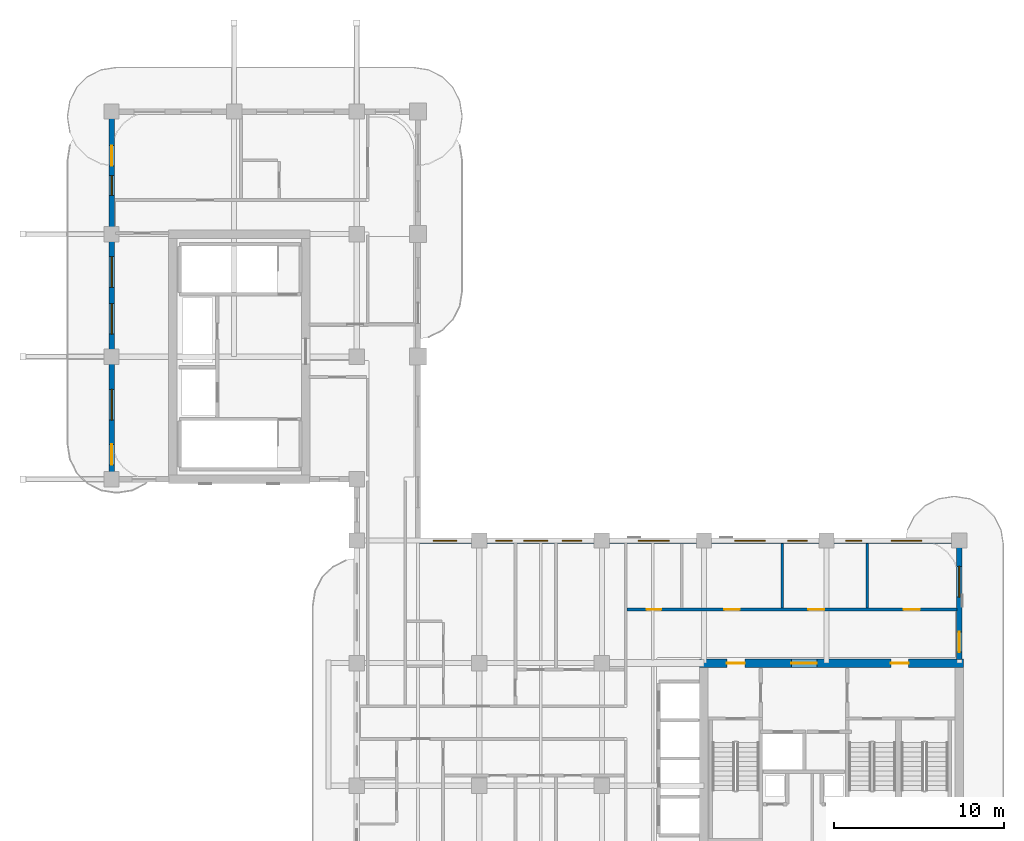
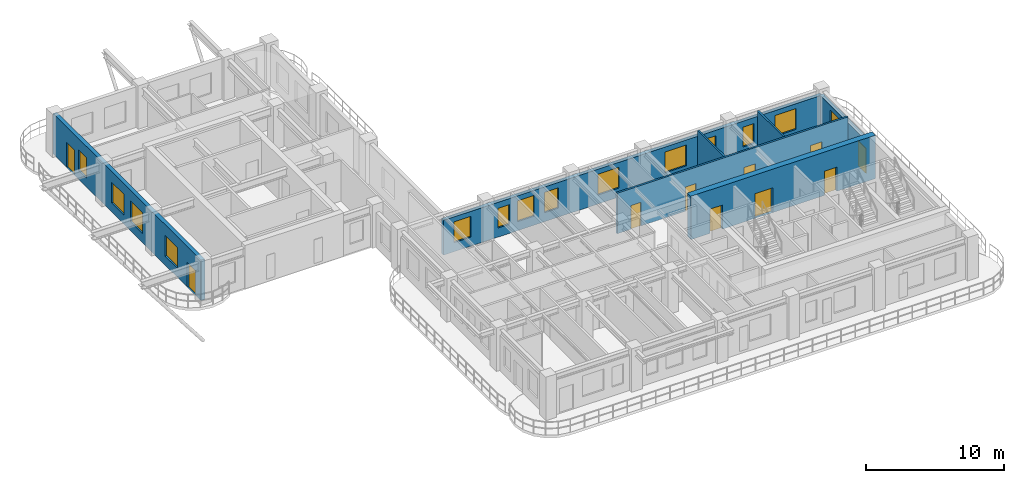
# One storey, part 9 of 14: 14 windows, 10 doors, 7 walls, 24 openings.
"""IFC4 building model written with IfcOpenShell, lengths in metres."""

from ifc_helpers import new_model, si_unit, derived_unit, direction, frame, frame_2d, origin, place, context, subcontext, project, spatial, rectangle, extrude, source, transform, mapped, material, layer, layer_set, type_object, type_shapes, element, fill, save


model = new_model("IFC4")

# Units and contexts
model_context = context("Model", 3, precision=1e-05, world=origin(), true_north=direction((0.0, 1.0)))
body_context = subcontext(model_context, "Body", "Model", "MODEL_VIEW")
ifc_project = project(units=[si_unit("LENGTHUNIT", "METRE"), si_unit("AREAUNIT", "SQUARE_METRE"), si_unit("VOLUMEUNIT", "CUBIC_METRE"), si_unit("PLANEANGLEUNIT", "RADIAN"), si_unit("MASSUNIT", "GRAM", prefix="KILO"), si_unit("THERMODYNAMICTEMPERATUREUNIT", "KELVIN"), si_unit("POWERUNIT", "WATT"), derived_unit("THERMALTRANSMITTANCEUNIT", [(si_unit("POWERUNIT", "WATT"), 1), (si_unit("AREAUNIT", "SQUARE_METRE"), -1), (si_unit("THERMODYNAMICTEMPERATUREUNIT", "KELVIN"), -1)])], contexts=[model_context])

# Site, building, storey
site_placement = place(None, origin())
site = spatial("IfcSite", under=ifc_project, at=site_placement, CompositionType="ELEMENT")
building_placement = place(site_placement, origin())
building = spatial("IfcBuilding", under=site, at=building_placement, Name="Zahravan Archway Hotel and Residences", CompositionType="ELEMENT")
storey_placement = place(building_placement, frame((0.0, 0.0, 209.60009765625)))
storey = spatial("IfcBuildingStorey", under=building, at=storey_placement, Name="L52", CompositionType="ELEMENT", Elevation=209.60009765625)

# Wall, openings, doors
ifc_material_1 = material(Name="Concrete C60/75", Category="concrete")
ifc_layer_1 = layer(ifc_material_1, 0.5, Name="Concrete C60/75", Category="concrete")
ifc_layer_set_1 = layer_set([ifc_layer_1], Name="Concrete C60/75")
wall_type_1 = type_object("IfcWallType", Name="CW-CORE-500", PredefinedType="SHEAR", material=ifc_layer_set_1)
wall_1_placement = place(storey_placement, frame((34.550048828125, 14.39990234375, 0.0), z_axis=(0.0, 0.0, 1.0), x_axis=(1.0, 0.0, 0.0)))
wall_1 = element("IfcWall", 1, at=wall_1_placement, inside=storey, type_object=wall_type_1, Name="L52 Core A Shear N Wall 500 mm", PredefinedType="SHEAR", context=body_context, shape_type="SweptSolid", body=[
    extrude(rectangle(XDim=15.5, YDim=0.5, at=frame_2d((7.75, 0.0))), origin(), (0.0, 0.0, 1.0), 3.849853515625),
])
opening_1_placement = place(wall_1_placement, frame((5.3798828125, 0.0, 0.0)))
opening_1 = element("IfcOpeningElement", 2, at=opening_1_placement, cuts=wall_1, Name="Opening FD-L1", PredefinedType="OPENING", context=body_context, shape_type="SweptSolid", body=[
    extrude(rectangle(XDim=1.5, YDim=2.199951171875, at=frame_2d((0.75, 1.10009765625))), frame((0.0, 0.260009765625, 0.0), z_axis=(0.0, -1.0, 0.0), x_axis=(1.0, 0.0, 0.0)), (0.0, 0.0, 1.0), 0.52001953125),
])
opening_2_placement = place(wall_1_placement, frame((1.594970703125, 0.0, 0.0)))
opening_2 = element("IfcOpeningElement", 3, at=opening_2_placement, cuts=wall_1, Name="Opening FD-L2", PredefinedType="OPENING", context=body_context, shape_type="SweptSolid", body=[
    extrude(rectangle(XDim=1.050048828125, YDim=2.14990234375, at=frame_2d((0.52490234375, 1.074951171875))), frame((0.0, 0.260009765625, 0.0), z_axis=(0.0, -1.0, 0.0), x_axis=(1.0, 0.0, 0.0)), (0.0, 0.0, 1.0), 0.52001953125),
])
opening_3_placement = place(wall_1_placement, frame((11.22509765625, 0.0, 0.0)))
opening_3 = element("IfcOpeningElement", 4, at=opening_3_placement, cuts=wall_1, Name="Opening FD-L2", PredefinedType="OPENING", context=body_context, shape_type="SweptSolid", body=[
    extrude(rectangle(XDim=1.050048828125, YDim=2.14990234375, at=frame_2d((0.52490234375, 1.074951171875))), frame((0.0, 0.260009765625, 0.0), z_axis=(0.0, -1.0, 0.0), x_axis=(1.0, 0.0, 0.0)), (0.0, 0.0, 1.0), 0.52001953125),
])
ifc_material_2 = material(Name="Fire-Rated Painted Steel", Category="steel")
door_type_1 = type_object("IfcDoorType", Name="FD-LOBBY-1100", OperationType="NOTDEFINED", PredefinedType="DOOR", material=ifc_material_2)
shared_shape_1 = source(origin(), body_context, "Body", "SweptSolid", [
    extrude(rectangle(XDim=1.050048828125, YDim=2.14990234375, at=frame_2d((0.52490234375, 1.074951171875))), frame((0.0, 0.02490234375, 0.0), z_axis=(0.0, -1.0, 0.0), x_axis=(1.0, 0.0, 0.0)), (0.0, 0.0, 1.0), 0.050048828125),
])
type_shapes(door_type_1, [shared_shape_1])
door_1_placement = place(opening_2_placement, origin())
door_1 = element("IfcDoor", 5, at=door_1_placement, inside=storey, type_object=door_type_1, Name="L52 Core A West Stair Lobby Door", OperationType="SINGLE_SWING_RIGHT", OverallHeight=2.14990234375, OverallWidth=1.050048828125, PredefinedType="DOOR", context=body_context, shape_type="MappedRepresentation", body=[
    mapped(shared_shape_1, transform((0.0, 0.0, 0.0), scale=1.0)),
])
fill(opening_2, door_1)
door_2_placement = place(opening_3_placement, origin())
door_2 = element("IfcDoor", 6, at=door_2_placement, inside=storey, type_object=door_type_1, Name="L52 Core A East Stair Lobby Door", OperationType="SINGLE_SWING_LEFT", OverallHeight=2.14990234375, OverallWidth=1.050048828125, PredefinedType="DOOR", context=body_context, shape_type="MappedRepresentation", body=[
    mapped(shared_shape_1, transform((0.0, 0.0, 0.0), scale=1.0)),
])
fill(opening_3, door_2)
door_type_2 = type_object("IfcDoorType", Name="FD-LOBBY-1500", OperationType="DOUBLE_DOOR_SINGLE_SWING", PredefinedType="DOOR", material=ifc_material_2)
shared_shape_2 = source(origin(), body_context, "Body", "SweptSolid", [
    extrude(rectangle(XDim=1.5, YDim=2.199951171875, at=frame_2d((0.75, 1.10009765625))), frame((0.0, 0.02490234375, 0.0), z_axis=(0.0, -1.0, 0.0), x_axis=(1.0, 0.0, 0.0)), (0.0, 0.0, 1.0), 0.050048828125),
])
type_shapes(door_type_2, [shared_shape_2])
door_3_placement = place(opening_1_placement, origin())
door_3 = element("IfcDoor", 7, at=door_3_placement, inside=storey, type_object=door_type_2, Name="L52 Core A FSAE Lobby Main Door", OperationType="DOUBLE_DOOR_SINGLE_SWING", OverallHeight=2.199951171875, OverallWidth=1.5, PredefinedType="DOOR", context=body_context, shape_type="MappedRepresentation", body=[
    mapped(shared_shape_2, transform((0.0, 0.0, 0.0), scale=1.0)),
])
fill(opening_1, door_3)

# Wall, openings, door, window
ifc_material_3 = material(Name="Agra Buff Sandstone & Insulated Backup", Category="masonry")
ifc_layer_2 = layer(ifc_material_3, 0.320068359375, Name="Agra Buff Sandstone & Insulated Backup", Category="masonry")
ifc_layer_set_2 = layer_set([ifc_layer_2], Name="Agra Buff Sandstone & Insulated Backup")
wall_type_2 = type_object("IfcWallType", Name="EW-SAND-320", PredefinedType="SOLIDWALL", material=ifc_layer_set_2)
wall_2_placement = place(storey_placement, frame((49.800048828125, 14.6201171875, 0.0), z_axis=(0.0, 0.0, 1.0), x_axis=(0.0, 1.0, 0.0)))
wall_2 = element("IfcWall", 8, at=wall_2_placement, inside=storey, type_object=wall_type_2, Name="L52 Exterior Sandstone Wall WA-EN", PredefinedType="SOLIDWALL", context=body_context, shape_type="SweptSolid", body=[
    extrude(rectangle(XDim=6.929931640625, YDim=0.320068359375, at=frame_2d((3.46484375, 0.0))), origin(), (0.0, 0.0, 1.0), 3.0849609375),
])
opening_4_placement = place(wall_2_placement, frame((0.419921875, 0.0, 0.0)))
opening_4 = element("IfcOpeningElement", 9, at=opening_4_placement, cuts=wall_2, Name="Opening ED-BL1", PredefinedType="OPENING", context=body_context, shape_type="SweptSolid", body=[
    extrude(rectangle(XDim=1.199951171875, YDim=2.199951171875, at=frame_2d((0.60009765625, 1.10009765625))), frame((0.0, 0.169921875, 0.0), z_axis=(0.0, -1.0, 0.0), x_axis=(1.0, 0.0, 0.0)), (0.0, 0.0, 1.0), 0.340087890625),
])
opening_5_placement = place(wall_2_placement, frame((3.658935546875, 0.0, 0.800048828125)))
opening_5 = element("IfcOpeningElement", 10, at=opening_5_placement, cuts=wall_2, Name="Opening W-02", PredefinedType="OPENING", context=body_context, shape_type="SweptSolid", body=[
    extrude(rectangle(XDim=1.800048828125, YDim=1.85009765625, at=frame_2d((0.89990234375, 0.925048828125))), frame((0.0, 0.169921875, 0.0), z_axis=(0.0, -1.0, 0.0), x_axis=(1.0, 0.0, 0.0)), (0.0, 0.0, 1.0), 0.340087890625),
])
ifc_material_4 = material(Name="Bronze-Anodized Glazed Aluminium", Category="aluminium")
door_type_3 = type_object("IfcDoorType", Name="ED-BALC-1200", OperationType="SLIDING_TO_LEFT", PredefinedType="DOOR", material=ifc_material_4)
shared_shape_3 = source(origin(), body_context, "Body", "SweptSolid", [
    extrude(rectangle(XDim=1.199951171875, YDim=2.199951171875, at=frame_2d((0.60009765625, 1.10009765625))), frame((0.0, 0.02490234375, 0.0), z_axis=(0.0, -1.0, 0.0), x_axis=(1.0, 0.0, 0.0)), (0.0, 0.0, 1.0), 0.050048828125),
])
type_shapes(door_type_3, [shared_shape_3])
door_4_placement = place(opening_4_placement, origin())
door_4 = element("IfcDoor", 11, at=door_4_placement, inside=storey, type_object=door_type_3, Name="L52 Outdoor Access Sliding Door (SLB-BAL-L52-EA)", OperationType="SLIDING_TO_LEFT", OverallHeight=2.199951171875, OverallWidth=1.199951171875, PredefinedType="DOOR", context=body_context, shape_type="MappedRepresentation", body=[
    mapped(shared_shape_3, transform((0.0, 0.0, 0.0), scale=1.0)),
])
fill(opening_4, door_4)
ifc_material_5 = material(Name="Bronze-Anodized Thermal-Break Aluminium & Low-E Glass", Category="aluminium")
window_type_1 = type_object("IfcWindowType", Name="WIN-TWR-1800", PartitioningType="DOUBLE_PANEL_VERTICAL", PredefinedType="WINDOW", material=ifc_material_5)
shared_shape_4 = source(origin(), body_context, "Body", "SweptSolid", [
    extrude(rectangle(XDim=1.800048828125, YDim=1.85009765625, at=frame_2d((0.89990234375, 0.925048828125))), frame((0.0, 0.030029296875, 0.0), z_axis=(0.0, -1.0, 0.0), x_axis=(1.0, 0.0, 0.0)), (0.0, 0.0, 1.0), 0.06005859375),
])
type_shapes(window_type_1, [shared_shape_4])
window_1_placement = place(opening_5_placement, origin())
window_1 = element("IfcWindow", 12, at=window_1_placement, inside=storey, type_object=window_type_1, Name="L52 Loggia Window 11", OverallHeight=1.85009765625, OverallWidth=1.800048828125, PartitioningType="DOUBLE_PANEL_VERTICAL", PredefinedType="WINDOW", context=body_context, shape_type="MappedRepresentation", body=[
    mapped(shared_shape_4, transform((0.0, 0.0, 0.0), scale=1.0)),
])
fill(opening_5, window_1)

# Wall, openings, windows
wall_3_placement = place(storey_placement, frame((18.0, 21.60009765625, 0.0), z_axis=(0.0, 0.0, 1.0), x_axis=(1.0, 0.0, 0.0)))
wall_3 = element("IfcWall", 13, at=wall_3_placement, inside=storey, type_object=wall_type_2, Name="L52 Exterior Sandstone Wall WA-NE", PredefinedType="SOLIDWALL", context=body_context, shape_type="SweptSolid", body=[
    extrude(rectangle(XDim=31.800048828125, YDim=0.320068359375, at=frame_2d((15.89990234375, 0.0))), origin(), (0.0, 0.0, 1.0), 3.0849609375),
])
opening_6_placement = place(wall_3_placement, frame((0.885009765625, 0.0, 0.800048828125)))
opening_6 = element("IfcOpeningElement", 14, at=opening_6_placement, cuts=wall_3, Name="Opening W-03", PredefinedType="OPENING", context=body_context, shape_type="SweptSolid", body=[
    extrude(rectangle(XDim=1.39990234375, YDim=1.85009765625, at=frame_2d((0.699951171875, 0.925048828125))), frame((0.0, 0.169921875, 0.0), z_axis=(0.0, -1.0, 0.0), x_axis=(1.0, 0.0, 0.0)), (0.0, 0.0, 1.0), 0.340087890625),
])
opening_7_placement = place(wall_3_placement, frame((4.5810546875, 0.0, 0.800048828125)))
opening_7 = element("IfcOpeningElement", 15, at=opening_7_placement, cuts=wall_3, Name="Opening W-04", PredefinedType="OPENING", context=body_context, shape_type="SweptSolid", body=[
    extrude(rectangle(XDim=0.949951171875, YDim=1.75, at=frame_2d((0.47509765625, 0.875))), frame((0.0, 0.169921875, 0.0), z_axis=(0.0, -1.0, 0.0), x_axis=(1.0, 0.0, 0.0)), (0.0, 0.0, 1.0), 0.340087890625),
])
opening_8_placement = place(wall_3_placement, frame((6.2099609375, 0.0, 0.800048828125)))
opening_8 = element("IfcOpeningElement", 16, at=opening_8_placement, cuts=wall_3, Name="Opening W-03", PredefinedType="OPENING", context=body_context, shape_type="SweptSolid", body=[
    extrude(rectangle(XDim=1.39990234375, YDim=1.85009765625, at=frame_2d((0.699951171875, 0.925048828125))), frame((0.0, 0.169921875, 0.0), z_axis=(0.0, -1.0, 0.0), x_axis=(1.0, 0.0, 0.0)), (0.0, 0.0, 1.0), 0.340087890625),
])
opening_9_placement = place(wall_3_placement, frame((8.47998046875, 0.0, 0.800048828125)))
opening_9 = element("IfcOpeningElement", 17, at=opening_9_placement, cuts=wall_3, Name="Opening W-05", PredefinedType="OPENING", context=body_context, shape_type="SweptSolid", body=[
    extrude(rectangle(XDim=1.14990234375, YDim=1.800048828125, at=frame_2d((0.574951171875, 0.89990234375))), frame((0.0, 0.169921875, 0.0), z_axis=(0.0, -1.0, 0.0), x_axis=(1.0, 0.0, 0.0)), (0.0, 0.0, 1.0), 0.340087890625),
])
opening_10_placement = place(wall_3_placement, frame((12.949951171875, 0.0, 0.800048828125)))
opening_10 = element("IfcOpeningElement", 18, at=opening_10_placement, cuts=wall_3, Name="Opening W-02", PredefinedType="OPENING", context=body_context, shape_type="SweptSolid", body=[
    extrude(rectangle(XDim=1.800048828125, YDim=1.85009765625, at=frame_2d((0.89990234375, 0.925048828125))), frame((0.0, 0.169921875, 0.0), z_axis=(0.0, -1.0, 0.0), x_axis=(1.0, 0.0, 0.0)), (0.0, 0.0, 1.0), 0.340087890625),
])
opening_11_placement = place(wall_3_placement, frame((18.595947265625, 0.0, 0.800048828125)))
opening_11 = element("IfcOpeningElement", 19, at=opening_11_placement, cuts=wall_3, Name="Opening W-02", PredefinedType="OPENING", context=body_context, shape_type="SweptSolid", body=[
    extrude(rectangle(XDim=1.800048828125, YDim=1.85009765625, at=frame_2d((0.89990234375, 0.925048828125))), frame((0.0, 0.169921875, 0.0), z_axis=(0.0, -1.0, 0.0), x_axis=(1.0, 0.0, 0.0)), (0.0, 0.0, 1.0), 0.340087890625),
])
opening_12_placement = place(wall_3_placement, frame((21.72900390625, 0.0, 0.800048828125)))
opening_12 = element("IfcOpeningElement", 20, at=opening_12_placement, cuts=wall_3, Name="Opening W-05", PredefinedType="OPENING", context=body_context, shape_type="SweptSolid", body=[
    extrude(rectangle(XDim=1.14990234375, YDim=1.800048828125, at=frame_2d((0.574951171875, 0.89990234375))), frame((0.0, 0.169921875, 0.0), z_axis=(0.0, -1.0, 0.0), x_axis=(1.0, 0.0, 0.0)), (0.0, 0.0, 1.0), 0.340087890625),
])
opening_13_placement = place(wall_3_placement, frame((25.12109375, 0.0, 0.800048828125)))
opening_13 = element("IfcOpeningElement", 21, at=opening_13_placement, cuts=wall_3, Name="Opening W-04", PredefinedType="OPENING", context=body_context, shape_type="SweptSolid", body=[
    extrude(rectangle(XDim=0.949951171875, YDim=1.75, at=frame_2d((0.47509765625, 0.875))), frame((0.0, 0.169921875, 0.0), z_axis=(0.0, -1.0, 0.0), x_axis=(1.0, 0.0, 0.0)), (0.0, 0.0, 1.0), 0.340087890625),
])
opening_14_placement = place(wall_3_placement, frame((27.803955078125, 0.0, 0.800048828125)))
opening_14 = element("IfcOpeningElement", 22, at=opening_14_placement, cuts=wall_3, Name="Opening W-02", PredefinedType="OPENING", context=body_context, shape_type="SweptSolid", body=[
    extrude(rectangle(XDim=1.800048828125, YDim=1.85009765625, at=frame_2d((0.89990234375, 0.925048828125))), frame((0.0, 0.169921875, 0.0), z_axis=(0.0, -1.0, 0.0), x_axis=(1.0, 0.0, 0.0)), (0.0, 0.0, 1.0), 0.340087890625),
])
window_type_2 = type_object("IfcWindowType", Name="WIN-TWR-1400", PartitioningType="SINGLE_PANEL", PredefinedType="WINDOW", material=ifc_material_5)
shared_shape_5 = source(origin(), body_context, "Body", "SweptSolid", [
    extrude(rectangle(XDim=1.39990234375, YDim=1.85009765625, at=frame_2d((0.699951171875, 0.925048828125))), frame((0.0, 0.030029296875, 0.0), z_axis=(0.0, -1.0, 0.0), x_axis=(1.0, 0.0, 0.0)), (0.0, 0.0, 1.0), 0.06005859375),
])
type_shapes(window_type_2, [shared_shape_5])
window_2_placement = place(opening_6_placement, origin())
window_2 = element("IfcWindow", 23, at=window_2_placement, inside=storey, type_object=window_type_2, Name="L52 Loggia Window 12", OverallHeight=1.85009765625, OverallWidth=1.39990234375, PartitioningType="SINGLE_PANEL", PredefinedType="WINDOW", context=body_context, shape_type="MappedRepresentation", body=[
    mapped(shared_shape_5, transform((0.0, 0.0, 0.0), scale=1.0)),
])
fill(opening_6, window_2)
window_3_placement = place(opening_8_placement, origin())
window_3 = element("IfcWindow", 24, at=window_3_placement, inside=storey, type_object=window_type_2, Name="L52 Loggia Window 14", OverallHeight=1.85009765625, OverallWidth=1.39990234375, PartitioningType="SINGLE_PANEL", PredefinedType="WINDOW", context=body_context, shape_type="MappedRepresentation", body=[
    mapped(shared_shape_5, transform((0.0, 0.0, 0.0), scale=1.0)),
])
fill(opening_8, window_3)
window_type_3 = type_object("IfcWindowType", Name="WIN-NAR-950", PartitioningType="SINGLE_PANEL", PredefinedType="WINDOW", material=ifc_material_5)
shared_shape_6 = source(origin(), body_context, "Body", "SweptSolid", [
    extrude(rectangle(XDim=0.949951171875, YDim=1.75, at=frame_2d((0.47509765625, 0.875))), frame((0.0, 0.030029296875, 0.0), z_axis=(0.0, -1.0, 0.0), x_axis=(1.0, 0.0, 0.0)), (0.0, 0.0, 1.0), 0.06005859375),
])
type_shapes(window_type_3, [shared_shape_6])
window_4_placement = place(opening_7_placement, origin())
window_4 = element("IfcWindow", 25, at=window_4_placement, inside=storey, type_object=window_type_3, Name="L52 Loggia Window 13", OverallHeight=1.75, OverallWidth=0.949951171875, PartitioningType="SINGLE_PANEL", PredefinedType="WINDOW", context=body_context, shape_type="MappedRepresentation", body=[
    mapped(shared_shape_6, transform((0.0, 0.0, 0.0), scale=1.0)),
])
fill(opening_7, window_4)
window_5_placement = place(opening_13_placement, origin())
window_5 = element("IfcWindow", 26, at=window_5_placement, inside=storey, type_object=window_type_3, Name="L52 Loggia Window 19", OverallHeight=1.75, OverallWidth=0.949951171875, PartitioningType="SINGLE_PANEL", PredefinedType="WINDOW", context=body_context, shape_type="MappedRepresentation", body=[
    mapped(shared_shape_6, transform((0.0, 0.0, 0.0), scale=1.0)),
])
fill(opening_13, window_5)
window_6_placement = place(opening_10_placement, origin())
window_6 = element("IfcWindow", 27, at=window_6_placement, inside=storey, type_object=window_type_1, Name="L52 Loggia Window 16", OverallHeight=1.85009765625, OverallWidth=1.800048828125, PartitioningType="DOUBLE_PANEL_VERTICAL", PredefinedType="WINDOW", context=body_context, shape_type="MappedRepresentation", body=[
    mapped(shared_shape_4, transform((0.0, 0.0, 0.0), scale=1.0)),
])
fill(opening_10, window_6)
window_7_placement = place(opening_11_placement, origin())
window_7 = element("IfcWindow", 28, at=window_7_placement, inside=storey, type_object=window_type_1, Name="L52 Loggia Window 17", OverallHeight=1.85009765625, OverallWidth=1.800048828125, PartitioningType="DOUBLE_PANEL_VERTICAL", PredefinedType="WINDOW", context=body_context, shape_type="MappedRepresentation", body=[
    mapped(shared_shape_4, transform((0.0, 0.0, 0.0), scale=1.0)),
])
fill(opening_11, window_7)
window_8_placement = place(opening_14_placement, origin())
window_8 = element("IfcWindow", 29, at=window_8_placement, inside=storey, type_object=window_type_1, Name="L52 Loggia Window 20", OverallHeight=1.85009765625, OverallWidth=1.800048828125, PartitioningType="DOUBLE_PANEL_VERTICAL", PredefinedType="WINDOW", context=body_context, shape_type="MappedRepresentation", body=[
    mapped(shared_shape_4, transform((0.0, 0.0, 0.0), scale=1.0)),
])
fill(opening_14, window_8)
window_type_4 = type_object("IfcWindowType", Name="WIN-TWR-1150", PartitioningType="SINGLE_PANEL", PredefinedType="WINDOW", material=ifc_material_5)
shared_shape_7 = source(origin(), body_context, "Body", "SweptSolid", [
    extrude(rectangle(XDim=1.14990234375, YDim=1.800048828125, at=frame_2d((0.574951171875, 0.89990234375))), frame((0.0, 0.030029296875, 0.0), z_axis=(0.0, -1.0, 0.0), x_axis=(1.0, 0.0, 0.0)), (0.0, 0.0, 1.0), 0.06005859375),
])
type_shapes(window_type_4, [shared_shape_7])
window_9_placement = place(opening_9_placement, origin())
window_9 = element("IfcWindow", 30, at=window_9_placement, inside=storey, type_object=window_type_4, Name="L52 Loggia Window 15", OverallHeight=1.800048828125, OverallWidth=1.14990234375, PartitioningType="SINGLE_PANEL", PredefinedType="WINDOW", context=body_context, shape_type="MappedRepresentation", body=[
    mapped(shared_shape_7, transform((0.0, 0.0, 0.0), scale=1.0)),
])
fill(opening_9, window_9)
window_10_placement = place(opening_12_placement, origin())
window_10 = element("IfcWindow", 31, at=window_10_placement, inside=storey, type_object=window_type_4, Name="L52 Loggia Window 18", OverallHeight=1.800048828125, OverallWidth=1.14990234375, PartitioningType="SINGLE_PANEL", PredefinedType="WINDOW", context=body_context, shape_type="MappedRepresentation", body=[
    mapped(shared_shape_7, transform((0.0, 0.0, 0.0), scale=1.0)),
])
fill(opening_12, window_10)

# Wall, openings, doors, windows
wall_4_placement = place(storey_placement, frame((0.0, 25.25, 0.0), z_axis=(0.0, 0.0, 1.0), x_axis=(0.0, 1.0, 0.0)))
wall_4 = element("IfcWall", 32, at=wall_4_placement, inside=storey, type_object=wall_type_2, Name="L52 Exterior Sandstone Wall WB-W", PredefinedType="SOLIDWALL", context=body_context, shape_type="SweptSolid", body=[
    extrude(rectangle(XDim=21.5, YDim=0.320068359375, at=frame_2d((10.75, 0.0))), origin(), (0.0, 0.0, 1.0), 3.599853515625),
])
opening_15_placement = place(wall_4_placement, frame((18.35693359375, 0.0, 0.0)))
opening_15 = element("IfcOpeningElement", 33, at=opening_15_placement, cuts=wall_4, Name="Opening ED-BL1", PredefinedType="OPENING", context=body_context, shape_type="SweptSolid", body=[
    extrude(rectangle(XDim=1.199951171875, YDim=2.199951171875, at=frame_2d((0.60009765625, 1.10009765625))), frame((0.0, 0.169921875, 0.0), z_axis=(0.0, -1.0, 0.0), x_axis=(1.0, 0.0, 0.0)), (0.0, 0.0, 1.0), 0.340087890625),
])
opening_16_placement = place(wall_4_placement, frame((0.800048828125, 0.0, 0.0)))
opening_16 = element("IfcOpeningElement", 34, at=opening_16_placement, cuts=wall_4, Name="Opening ED-BL1", PredefinedType="OPENING", context=body_context, shape_type="SweptSolid", body=[
    extrude(rectangle(XDim=1.199951171875, YDim=2.199951171875, at=frame_2d((0.60009765625, 1.10009765625))), frame((0.0, 0.169921875, 0.0), z_axis=(0.0, -1.0, 0.0), x_axis=(1.0, 0.0, 0.0)), (0.0, 0.0, 1.0), 0.340087890625),
])
opening_17_placement = place(wall_4_placement, frame((3.425048828125, 0.0, 0.800048828125)))
opening_17 = element("IfcOpeningElement", 35, at=opening_17_placement, cuts=wall_4, Name="Opening W-02", PredefinedType="OPENING", context=body_context, shape_type="SweptSolid", body=[
    extrude(rectangle(XDim=1.800048828125, YDim=1.85009765625, at=frame_2d((0.89990234375, 0.925048828125))), frame((0.0, 0.169921875, 0.0), z_axis=(0.0, -1.0, 0.0), x_axis=(1.0, 0.0, 0.0)), (0.0, 0.0, 1.0), 0.340087890625),
])
opening_18_placement = place(wall_4_placement, frame((8.47509765625, 0.0, 0.800048828125)))
opening_18 = element("IfcOpeningElement", 36, at=opening_18_placement, cuts=wall_4, Name="Opening W-02", PredefinedType="OPENING", context=body_context, shape_type="SweptSolid", body=[
    extrude(rectangle(XDim=1.800048828125, YDim=1.85009765625, at=frame_2d((0.89990234375, 0.925048828125))), frame((0.0, 0.169921875, 0.0), z_axis=(0.0, -1.0, 0.0), x_axis=(1.0, 0.0, 0.0)), (0.0, 0.0, 1.0), 0.340087890625),
])
opening_19_placement = place(wall_4_placement, frame((11.22509765625, 0.0, 0.800048828125)))
opening_19 = element("IfcOpeningElement", 37, at=opening_19_placement, cuts=wall_4, Name="Opening W-02", PredefinedType="OPENING", context=body_context, shape_type="SweptSolid", body=[
    extrude(rectangle(XDim=1.800048828125, YDim=1.85009765625, at=frame_2d((0.89990234375, 0.925048828125))), frame((0.0, 0.169921875, 0.0), z_axis=(0.0, -1.0, 0.0), x_axis=(1.0, 0.0, 0.0)), (0.0, 0.0, 1.0), 0.340087890625),
])
opening_20_placement = place(wall_4_placement, frame((16.632080078125, 0.0, 0.800048828125)))
opening_20 = element("IfcOpeningElement", 38, at=opening_20_placement, cuts=wall_4, Name="Opening W-05", PredefinedType="OPENING", context=body_context, shape_type="SweptSolid", body=[
    extrude(rectangle(XDim=1.14990234375, YDim=1.800048828125, at=frame_2d((0.574951171875, 0.89990234375))), frame((0.0, 0.169921875, 0.0), z_axis=(0.0, -1.0, 0.0), x_axis=(1.0, 0.0, 0.0)), (0.0, 0.0, 1.0), 0.340087890625),
])
door_5_placement = place(opening_15_placement, origin())
door_5 = element("IfcDoor", 39, at=door_5_placement, inside=storey, type_object=door_type_3, Name="L52 Outdoor Access Sliding Door (SLB-BAL-L52-NB)", OperationType="SLIDING_TO_LEFT", OverallHeight=2.199951171875, OverallWidth=1.199951171875, PredefinedType="DOOR", context=body_context, shape_type="MappedRepresentation", body=[
    mapped(shared_shape_3, transform((0.0, 0.0, 0.0), scale=1.0)),
])
fill(opening_15, door_5)
door_6_placement = place(opening_16_placement, origin())
door_6 = element("IfcDoor", 40, at=door_6_placement, inside=storey, type_object=door_type_3, Name="L52 Outdoor Access Sliding Door (SLB-BAL-L52-WB)", OperationType="SLIDING_TO_LEFT", OverallHeight=2.199951171875, OverallWidth=1.199951171875, PredefinedType="DOOR", context=body_context, shape_type="MappedRepresentation", body=[
    mapped(shared_shape_3, transform((0.0, 0.0, 0.0), scale=1.0)),
])
fill(opening_16, door_6)
window_11_placement = place(opening_17_placement, origin())
window_11 = element("IfcWindow", 41, at=window_11_placement, inside=storey, type_object=window_type_1, Name="L52 Loggia Window 31", OverallHeight=1.85009765625, OverallWidth=1.800048828125, PartitioningType="DOUBLE_PANEL_VERTICAL", PredefinedType="WINDOW", context=body_context, shape_type="MappedRepresentation", body=[
    mapped(shared_shape_4, transform((0.0, 0.0, 0.0), scale=1.0)),
])
fill(opening_17, window_11)
window_12_placement = place(opening_18_placement, origin())
window_12 = element("IfcWindow", 42, at=window_12_placement, inside=storey, type_object=window_type_1, Name="L52 Loggia Window 32", OverallHeight=1.85009765625, OverallWidth=1.800048828125, PartitioningType="DOUBLE_PANEL_VERTICAL", PredefinedType="WINDOW", context=body_context, shape_type="MappedRepresentation", body=[
    mapped(shared_shape_4, transform((0.0, 0.0, 0.0), scale=1.0)),
])
fill(opening_18, window_12)
window_13_placement = place(opening_19_placement, origin())
window_13 = element("IfcWindow", 43, at=window_13_placement, inside=storey, type_object=window_type_1, Name="L52 Loggia Window 33", OverallHeight=1.85009765625, OverallWidth=1.800048828125, PartitioningType="DOUBLE_PANEL_VERTICAL", PredefinedType="WINDOW", context=body_context, shape_type="MappedRepresentation", body=[
    mapped(shared_shape_4, transform((0.0, 0.0, 0.0), scale=1.0)),
])
fill(opening_19, window_13)
window_14_placement = place(opening_20_placement, origin())
window_14 = element("IfcWindow", 44, at=window_14_placement, inside=storey, type_object=window_type_4, Name="L52 Loggia Window 34", OverallHeight=1.800048828125, OverallWidth=1.14990234375, PartitioningType="SINGLE_PANEL", PredefinedType="WINDOW", context=body_context, shape_type="MappedRepresentation", body=[
    mapped(shared_shape_7, transform((0.0, 0.0, 0.0), scale=1.0)),
])
fill(opening_20, window_14)

# Wall, openings, doors
ifc_material_6 = material(Name="Fire-Rated Gypsum & Concrete Block", Category="concrete")
ifc_layer_3 = layer(ifc_material_6, 0.159912109375, Name="Fire-Rated Gypsum & Concrete Block", Category="concrete")
ifc_layer_set_3 = layer_set([ifc_layer_3], Name="Fire-Rated Gypsum & Concrete Block")
wall_type_3 = type_object("IfcWallType", Name="PW-CORR-160", PredefinedType="PARTITIONING", material=ifc_layer_set_3)
wall_5_placement = place(storey_placement, frame((30.2900390625, 17.550048828125, 0.0), z_axis=(0.0, 0.0, 1.0), x_axis=(1.0, 0.0, 0.0)))
wall_5 = element("IfcWall", 45, at=wall_5_placement, inside=storey, type_object=wall_type_3, Name="L52 Partition WA-FN", PredefinedType="PARTITIONING", context=body_context, shape_type="SweptSolid", body=[
    extrude(rectangle(XDim=19.369873046875, YDim=0.159912109375, at=frame_2d((9.68505859375, 0.0))), origin(), (0.0, 0.0, 1.0), 3.599853515625),
])
opening_21_placement = place(wall_5_placement, frame((1.135009765625, 0.0, 0.0)))
opening_21 = element("IfcOpeningElement", 46, at=opening_21_placement, cuts=wall_5, Name="Opening D-B1", PredefinedType="OPENING", context=body_context, shape_type="SweptSolid", body=[
    extrude(rectangle(XDim=0.85009765625, YDim=2.10009765625, at=frame_2d((0.425048828125, 1.050048828125))), frame((0.0, 0.08984375, 0.0), z_axis=(0.0, -1.0, 0.0), x_axis=(1.0, 0.0, 0.0)), (0.0, 0.0, 1.0), 0.179931640625),
])
opening_22_placement = place(wall_5_placement, frame((5.7099609375, 0.0, 0.0)))
opening_22 = element("IfcOpeningElement", 47, at=opening_22_placement, cuts=wall_5, Name="Opening D-I2", PredefinedType="OPENING", context=body_context, shape_type="SweptSolid", body=[
    extrude(rectangle(XDim=0.89990234375, YDim=2.14990234375, at=frame_2d((0.449951171875, 1.074951171875))), frame((0.0, 0.08984375, 0.0), z_axis=(0.0, -1.0, 0.0), x_axis=(1.0, 0.0, 0.0)), (0.0, 0.0, 1.0), 0.179931640625),
])
opening_23_placement = place(wall_5_placement, frame((10.635009765625, 0.0, 0.0)))
opening_23 = element("IfcOpeningElement", 48, at=opening_23_placement, cuts=wall_5, Name="Opening D-I1", PredefinedType="OPENING", context=body_context, shape_type="SweptSolid", body=[
    extrude(rectangle(XDim=0.949951171875, YDim=2.14990234375, at=frame_2d((0.47509765625, 1.074951171875))), frame((0.0, 0.08984375, 0.0), z_axis=(0.0, -1.0, 0.0), x_axis=(1.0, 0.0, 0.0)), (0.0, 0.0, 1.0), 0.179931640625),
])
opening_24_placement = place(wall_5_placement, frame((16.235107421875, 0.0, 0.0)))
opening_24 = element("IfcOpeningElement", 49, at=opening_24_placement, cuts=wall_5, Name="Opening D-I1", PredefinedType="OPENING", context=body_context, shape_type="SweptSolid", body=[
    extrude(rectangle(XDim=0.949951171875, YDim=2.14990234375, at=frame_2d((0.47509765625, 1.074951171875))), frame((0.0, 0.08984375, 0.0), z_axis=(0.0, -1.0, 0.0), x_axis=(1.0, 0.0, 0.0)), (0.0, 0.0, 1.0), 0.179931640625),
])
ifc_material_7 = material(Name="Hardwood Veneer Timber", Category="wood")
door_type_4 = type_object("IfcDoorType", Name="ID-BATH-850", OperationType="NOTDEFINED", PredefinedType="DOOR", material=ifc_material_7)
shared_shape_8 = source(origin(), body_context, "Body", "SweptSolid", [
    extrude(rectangle(XDim=0.85009765625, YDim=2.10009765625, at=frame_2d((0.425048828125, 1.050048828125))), frame((0.0, 0.02490234375, 0.0), z_axis=(0.0, -1.0, 0.0), x_axis=(1.0, 0.0, 0.0)), (0.0, 0.0, 1.0), 0.050048828125),
])
type_shapes(door_type_4, [shared_shape_8])
door_7_placement = place(opening_21_placement, origin())
door_7 = element("IfcDoor", 50, at=door_7_placement, inside=storey, type_object=door_type_4, Name="L52 Accessible WC Door", OperationType="SINGLE_SWING_LEFT", OverallHeight=2.10009765625, OverallWidth=0.85009765625, PredefinedType="DOOR", context=body_context, shape_type="MappedRepresentation", body=[
    mapped(shared_shape_8, transform((0.0, 0.0, 0.0), scale=1.0)),
])
fill(opening_21, door_7)
door_type_5 = type_object("IfcDoorType", Name="ID-INT-950", OperationType="NOTDEFINED", PredefinedType="DOOR", material=ifc_material_7)
shared_shape_9 = source(origin(), body_context, "Body", "SweptSolid", [
    extrude(rectangle(XDim=0.949951171875, YDim=2.14990234375, at=frame_2d((0.47509765625, 1.074951171875))), frame((0.0, 0.02490234375, 0.0), z_axis=(0.0, -1.0, 0.0), x_axis=(1.0, 0.0, 0.0)), (0.0, 0.0, 1.0), 0.050048828125),
])
type_shapes(door_type_5, [shared_shape_9])
door_8_placement = place(opening_23_placement, origin())
door_8 = element("IfcDoor", 51, at=door_8_placement, inside=storey, type_object=door_type_5, Name="L52 Boardroom Door", OperationType="SINGLE_SWING_LEFT", OverallHeight=2.14990234375, OverallWidth=0.949951171875, PredefinedType="DOOR", context=body_context, shape_type="MappedRepresentation", body=[
    mapped(shared_shape_9, transform((0.0, 0.0, 0.0), scale=1.0)),
])
fill(opening_23, door_8)
door_9_placement = place(opening_24_placement, origin())
door_9 = element("IfcDoor", 52, at=door_9_placement, inside=storey, type_object=door_type_5, Name="L52 Therapy Clinic Door", OperationType="SINGLE_SWING_RIGHT", OverallHeight=2.14990234375, OverallWidth=0.949951171875, PredefinedType="DOOR", context=body_context, shape_type="MappedRepresentation", body=[
    mapped(shared_shape_9, transform((0.0, 0.0, 0.0), scale=1.0)),
])
fill(opening_24, door_9)
door_type_6 = type_object("IfcDoorType", Name="ID-INT-900", OperationType="NOTDEFINED", PredefinedType="DOOR", material=ifc_material_7)
shared_shape_10 = source(origin(), body_context, "Body", "SweptSolid", [
    extrude(rectangle(XDim=0.89990234375, YDim=2.14990234375, at=frame_2d((0.449951171875, 1.074951171875))), frame((0.0, 0.02490234375, 0.0), z_axis=(0.0, -1.0, 0.0), x_axis=(1.0, 0.0, 0.0)), (0.0, 0.0, 1.0), 0.050048828125),
])
type_shapes(door_type_6, [shared_shape_10])
door_10_placement = place(opening_22_placement, origin())
door_10 = element("IfcDoor", 53, at=door_10_placement, inside=storey, type_object=door_type_6, Name="L52 Pantry Door", OperationType="SINGLE_SWING_RIGHT", OverallHeight=2.14990234375, OverallWidth=0.89990234375, PredefinedType="DOOR", context=body_context, shape_type="MappedRepresentation", body=[
    mapped(shared_shape_10, transform((0.0, 0.0, 0.0), scale=1.0)),
])
fill(opening_22, door_10)

# Walls
ifc_material_8 = material(Name="Moisture-Resistant Blockwork", Category="masonry")
ifc_layer_4 = layer(ifc_material_8, 0.139892578125, Name="Moisture-Resistant Blockwork", Category="masonry")
ifc_layer_set_4 = layer_set([ifc_layer_4], Name="Moisture-Resistant Blockwork")
wall_type_4 = type_object("IfcWallType", Name="PW-WET-140", PredefinedType="PARTITIONING", material=ifc_layer_set_4)
for number, where, z_axis, x_axis, name in (
    (54, (39.39990234375, 17.639892578125, 0.0), (0.0, 0.0, 1.0), (0.0, 1.0, 0.0), "L52 Partition NE2-2"),
    (55, (44.39990234375, 17.639892578125, 0.0), (0.0, 0.0, 1.0), (0.0, 1.0, 0.0), "L52 Partition NE2-3"),
):
    element("IfcWall", number, at=place(storey_placement, frame(where, z_axis=z_axis, x_axis=x_axis)), inside=storey, type_object=wall_type_4, Name=name, PredefinedType="PARTITIONING", context=body_context, shape_type="SweptSolid", body=[
        extrude(rectangle(XDim=3.7919921875, YDim=0.139892578125, at=frame_2d((1.89599609375, 0.0))), origin(), (0.0, 0.0, 1.0), 3.599853515625),
    ])

save(model, "model.ifc")
